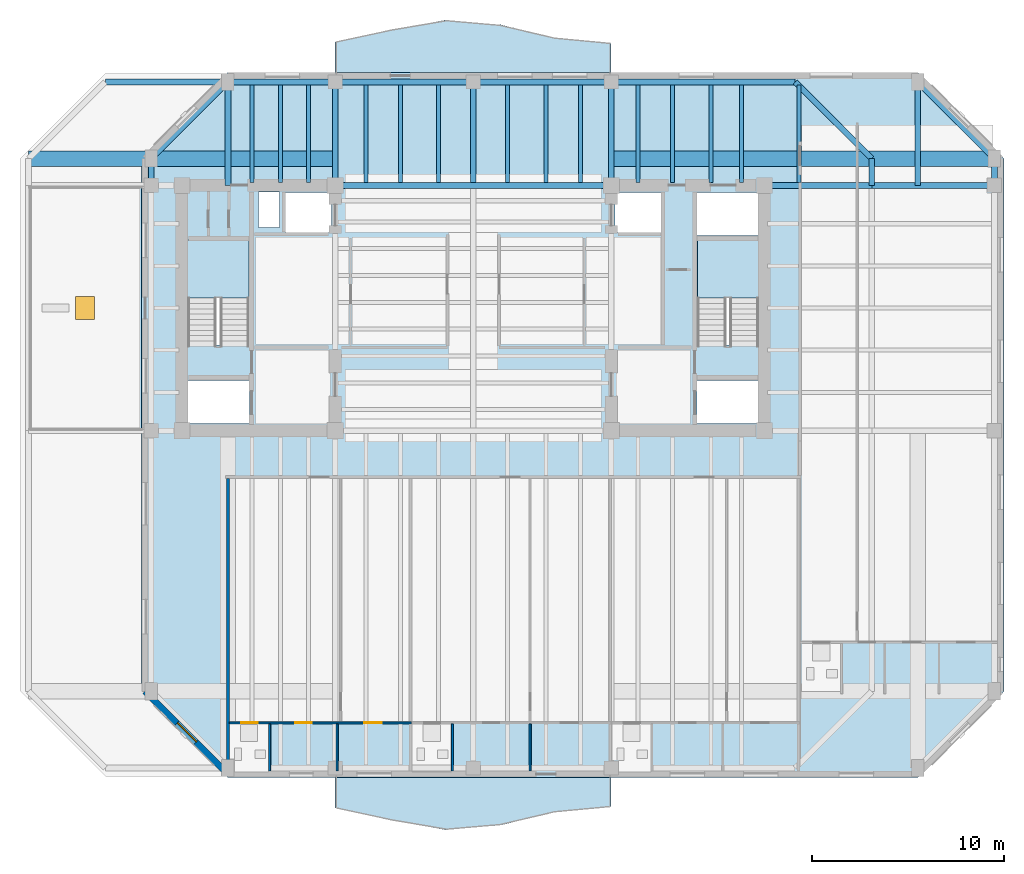
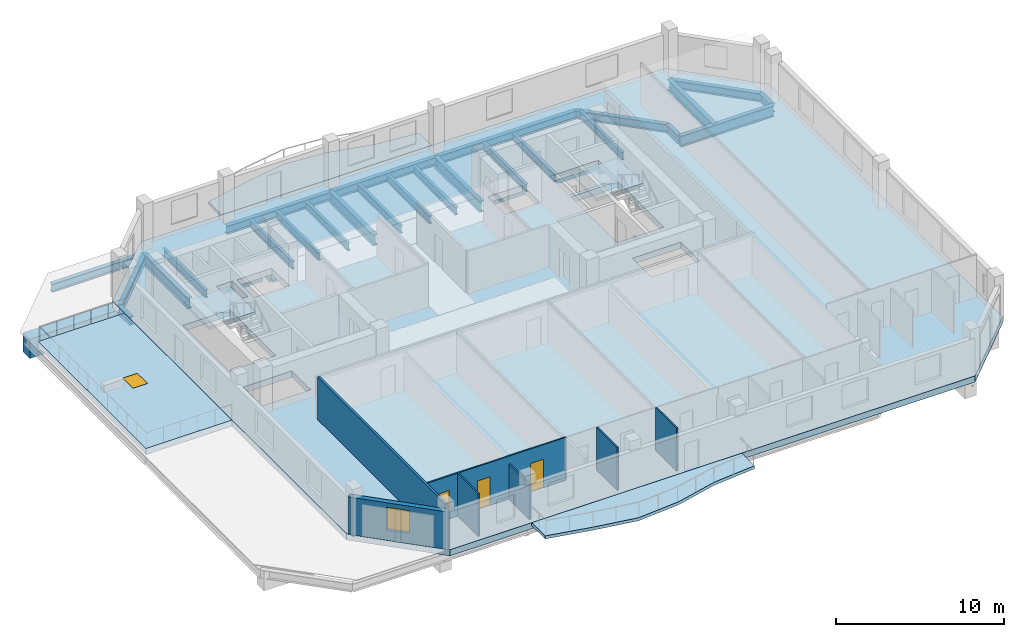
# One storey, part 2 of 11: 34 beams, 7 walls, 6 slabs, 4 doors, 1 window, 5 openings, 2 elements without a shape of their own.
"""IFC4 building model written with IfcOpenShell, lengths in metres."""

from ifc_helpers import new_model, si_unit, direction, frame, frame_2d, origin, origin_2d, place, context, subcontext, project, spatial, polyline, rectangle, i_section, outline, extrude, material, layer, layer_set, material_profile, profile_set, type_object, element, fill, aggregate, save


model = new_model("IFC4")

# Units and contexts
model_context = context("Model", 3, precision=1e-05, world=origin(), true_north=direction((0.0, 1.0)))
body_context = subcontext(model_context, "Body", "Model", "MODEL_VIEW")
ifc_project = project(units=[si_unit("LENGTHUNIT", "METRE"), si_unit("AREAUNIT", "SQUARE_METRE"), si_unit("VOLUMEUNIT", "CUBIC_METRE"), si_unit("PLANEANGLEUNIT", "RADIAN"), si_unit("MASSUNIT", "GRAM", prefix="KILO")], contexts=[model_context])

# Site, building, storey
site_placement = place(None, origin())
site = spatial("IfcSite", under=ifc_project, at=site_placement, CompositionType="ELEMENT")
building_placement = place(site_placement, origin())
building = spatial("IfcBuilding", under=site, at=building_placement, Name="Kranthara Brick Stack", CompositionType="ELEMENT")
storey_placement = place(building_placement, frame((0.0, 0.0, 227.89990234375)))
storey = spatial("IfcBuildingStorey", under=building, at=storey_placement, Name="L59", CompositionType="ELEMENT", Elevation=227.89990234375)

# Beams
ifc_material_1 = material(Name="Steel S355", Category="steel")
ifc_material_profile_1 = material_profile(ifc_material_1, i_section(OverallWidth=0.2099609375, OverallDepth=0.550048828125, WebThickness=0.010986328125, FlangeThickness=0.01708984375, at=origin_2d()), Name="IPE 550")
ifc_profile_set_1 = profile_set([ifc_material_profile_1], Name="Steel S355")
beam_type_1 = type_object("IfcBeamType", Name="BM-JST-IPE550", PredefinedType="JOIST", material=ifc_profile_set_1)
for number, where, z_axis, x_axis, name in (
    (1, (16.449951171875, 33.75, -0.724853515625), (0.0, 1.0, 0.0), (-1.0, 0.0, 0.0), "L59 North Wing Floor Joist 073"),
    (2, (17.949951171875, 33.75, -0.724853515625), (0.0, 1.0, 0.0), (-1.0, 0.0, 0.0), "L59 North Wing Floor Joist 075"),
    (3, (19.39990234375, 33.75, -0.724853515625), (0.0, 1.0, 0.0), (-1.0, 0.0, 0.0), "L59 North Wing Floor Joist 077"),
    (4, (22.39990234375, 33.75, -0.724853515625), (0.0, 1.0, 0.0), (-1.0, 0.0, 0.0), "L59 North Wing Floor Joist 079"),
    (5, (24.199951171875, 33.75, -0.724853515625), (0.0, 1.0, 0.0), (-1.0, 0.0, 0.0), "L59 North Wing Floor Joist 081"),
    (6, (26.199951171875, 33.75, -0.724853515625), (0.0, 1.0, 0.0), (-1.0, 0.0, 0.0), "L59 North Wing Floor Joist 083"),
    (7, (29.800048828125, 33.75, -0.724853515625), (0.0, 1.0, 0.0), (-1.0, 0.0, 0.0), "L59 North Wing Floor Joist 085"),
    (8, (31.800048828125, 33.75, -0.724853515625), (0.0, 1.0, 0.0), (-1.0, 0.0, 0.0), "L59 North Wing Floor Joist 087"),
    (9, (33.60009765625, 33.75, -0.724853515625), (0.0, 1.0, 0.0), (-1.0, 0.0, 0.0), "L59 North Wing Floor Joist 089"),
    (10, (36.60009765625, 33.75, -0.724853515625), (0.0, 1.0, 0.0), (-1.0, 0.0, 0.0), "L59 North Wing Floor Joist 091"),
    (11, (38.39990234375, 33.75, -0.724853515625), (0.0, 1.0, 0.0), (-1.0, 0.0, 0.0), "L59 North Wing Floor Joist 093"),
    (12, (40.39990234375, 33.75, -0.724853515625), (0.0, 1.0, 0.0), (-1.0, 0.0, 0.0), "L59 North Wing Floor Joist 095"),
    (13, (42.0, 33.75, -0.724853515625), (0.0, 1.0, 0.0), (-1.0, 0.0, 0.0), "L59 North Wing Floor Joist 097"),
    (14, (45.0, 33.75, -0.724853515625), (0.0, 1.0, 0.0), (-1.0, 0.0, 0.0), "L59 North Wing Floor Joist 099"),
):
    element("IfcBeam", number, at=place(storey_placement, frame(where, z_axis=z_axis, x_axis=x_axis)), inside=storey, type_object=beam_type_1, Name=name, PredefinedType="JOIST", context=body_context, shape_type="SweptSolid", body=[
        extrude(i_section(OverallWidth=0.2099609375, OverallDepth=0.550048828125, WebThickness=0.010986328125, FlangeThickness=0.01708984375, at=origin_2d()), origin(), (0.0, 0.0, 1.0), 5.10009765625),
    ])
ifc_material_2 = material(Name="Steel S355", Category="steel")
ifc_material_profile_2 = material_profile(ifc_material_2, i_section(OverallWidth=0.300048828125, OverallDepth=0.60009765625, WebThickness=0.015380859375, FlangeThickness=0.030029296875, at=origin_2d()), Name="HEB 600")
ifc_profile_set_2 = profile_set([ifc_material_profile_2], Name="Steel S355")
beam_type_2 = type_object("IfcBeamType", Name="BM-STL-HEB600", PredefinedType="BEAM", material=ifc_profile_set_2)
beam_1_placement = place(storey_placement, frame((8.800048828125, 39.0, -0.75), z_axis=(1.0, 0.0, 0.0), x_axis=(0.0, 1.0, 0.0)))
element("IfcBeam", 15, at=beam_1_placement, inside=storey, type_object=beam_type_2, Name="L59 Perimeter Spandrel Beam 009", PredefinedType="BEAM", context=body_context, shape_type="SweptSolid", body=[
    extrude(i_section(OverallWidth=0.300048828125, OverallDepth=0.60009765625, WebThickness=0.015380859375, FlangeThickness=0.030029296875, at=origin_2d()), origin(), (0.0, 0.0, 1.0), 12.0),
])
for number, where, z_axis, x_axis, name in (
    (16, (20.800048828125, 39.0, -0.75), (1.0, 0.0, 0.0), (0.0, 1.0, 0.0), "L59 Perimeter Spandrel Beam 010"),
    (17, (28.0, 39.0, -0.75), (1.0, 0.0, 0.0), (0.0, 1.0, 0.0), "L59 Perimeter Spandrel Beam 011"),
):
    element("IfcBeam", number, at=place(storey_placement, frame(where, z_axis=z_axis, x_axis=x_axis)), inside=storey, type_object=beam_type_2, Name=name, PredefinedType="BEAM", context=body_context, shape_type="SweptSolid", body=[
        extrude(i_section(OverallWidth=0.300048828125, OverallDepth=0.60009765625, WebThickness=0.015380859375, FlangeThickness=0.030029296875, at=origin_2d()), origin(), (0.0, 0.0, 1.0), 7.199951171875),
    ])
beam_2_placement = place(storey_placement, frame((35.199951171875, 39.0, -0.75), z_axis=(1.0, 0.0, 0.0), x_axis=(0.0, 1.0, 0.0)))
element("IfcBeam", 18, at=beam_2_placement, inside=storey, type_object=beam_type_2, Name="L59 Perimeter Spandrel Beam 012", PredefinedType="BEAM", context=body_context, shape_type="SweptSolid", body=[
    extrude(i_section(OverallWidth=0.300048828125, OverallDepth=0.60009765625, WebThickness=0.015380859375, FlangeThickness=0.030029296875, at=origin_2d()), origin(), (0.0, 0.0, 1.0), 9.60009765625),
])
beam_3_placement = place(storey_placement, frame((48.800048828125, 33.60009765625, -0.75), z_axis=(0.0, 1.0, 0.0), x_axis=(-1.0, 0.0, 0.0)))
element("IfcBeam", 19, at=beam_3_placement, inside=storey, type_object=beam_type_2, Name="L59 Perimeter Spandrel Beam 018", PredefinedType="BEAM", context=body_context, shape_type="SweptSolid", body=[
    extrude(i_section(OverallWidth=0.300048828125, OverallDepth=0.60009765625, WebThickness=0.015380859375, FlangeThickness=0.030029296875, at=origin_2d()), origin(), (0.0, 0.0, 1.0), 1.39990234375),
])
beam_4_placement = place(storey_placement, frame((44.800048828125, 39.0, -0.75), z_axis=(0.707106781187, -0.707106781187, 0.0), x_axis=(0.707106781187, 0.707106781187, 0.0)))
element("IfcBeam", 20, at=beam_4_placement, inside=storey, type_object=beam_type_2, Name="L59 Chamfer Corner Spandrel 022", PredefinedType="BEAM", context=body_context, shape_type="SweptSolid", body=[
    extrude(i_section(OverallWidth=0.300048828125, OverallDepth=0.60009765625, WebThickness=0.015380859375, FlangeThickness=0.030029296875, at=origin_2d()), origin(), (0.0, 0.0, 1.0), 5.65673828125),
])
for number, where, z_axis, x_axis, name in (
    (21, (11.199951171875, 33.60009765625, -0.75), (0.0, 1.0, 0.0), (-1.0, 0.0, 0.0), "L59 Perimeter Spandrel Beam 025"),
    (22, (55.199951171875, 33.60009765625, -0.75), (0.0, 1.0, 0.0), (-1.0, 0.0, 0.0), "L59 Perimeter Spandrel Beam 028"),
):
    element("IfcBeam", number, at=place(storey_placement, frame(where, z_axis=z_axis, x_axis=x_axis)), inside=storey, type_object=beam_type_2, Name=name, PredefinedType="BEAM", context=body_context, shape_type="SweptSolid", body=[
        extrude(i_section(OverallWidth=0.300048828125, OverallDepth=0.60009765625, WebThickness=0.015380859375, FlangeThickness=0.030029296875, at=origin_2d()), origin(), (0.0, 0.0, 1.0), 1.39990234375),
    ])
for number, where, z_axis, x_axis, name in (
    (23, (15.199951171875, 39.0, -0.75), (-0.707106781187, -0.707106781187, 0.0), (0.707106781187, -0.707106781187, 0.0), "L59 Chamfer Corner Spandrel 031"),
    (24, (51.199951171875, 39.0, -0.75), (0.707106781187, -0.707106781187, 0.0), (0.707106781187, 0.707106781187, 0.0), "L59 Chamfer Corner Spandrel 032"),
):
    element("IfcBeam", number, at=place(storey_placement, frame(where, z_axis=z_axis, x_axis=x_axis)), inside=storey, type_object=beam_type_2, Name=name, PredefinedType="BEAM", context=body_context, shape_type="SweptSolid", body=[
        extrude(i_section(OverallWidth=0.300048828125, OverallDepth=0.60009765625, WebThickness=0.015380859375, FlangeThickness=0.030029296875, at=origin_2d()), origin(), (0.0, 0.0, 1.0), 5.65673828125),
    ])
ifc_material_3 = material(Name="Steel S355", Category="steel")
ifc_material_profile_3 = material_profile(ifc_material_3, i_section(OverallWidth=0.300048828125, OverallDepth=0.800048828125, WebThickness=0.017578125, FlangeThickness=0.032958984375, at=origin_2d()), Name="HEB 800")
ifc_profile_set_3 = profile_set([ifc_material_profile_3], Name="Steel S355")
beam_type_3 = type_object("IfcBeamType", Name="BM-TR-HEB800", PredefinedType="BEAM", material=ifc_profile_set_3)
beam_5_placement = place(storey_placement, frame((20.800048828125, 33.60009765625, -0.849853515625), z_axis=(1.0, 0.0, 0.0), x_axis=(0.0, 1.0, 0.0)))
element("IfcBeam", 25, at=beam_5_placement, inside=storey, type_object=beam_type_3, Name="L59 Core Coupling Beam 002", PredefinedType="BEAM", context=body_context, shape_type="SweptSolid", body=[
    extrude(i_section(OverallWidth=0.300048828125, OverallDepth=0.800048828125, WebThickness=0.017578125, FlangeThickness=0.032958984375, at=origin_2d()), origin(), (0.0, 0.0, 1.0), 14.39990234375),
])
beam_6_placement = place(storey_placement, frame((20.800048828125, 33.60009765625, -0.849853515625), z_axis=(0.0, 1.0, 0.0), x_axis=(-1.0, 0.0, 0.0)))
element("IfcBeam", 26, at=beam_6_placement, inside=storey, type_object=beam_type_3, Name="L59 Primary Grid Girder 034", PredefinedType="BEAM", context=body_context, shape_type="SweptSolid", body=[
    extrude(i_section(OverallWidth=0.300048828125, OverallDepth=0.800048828125, WebThickness=0.017578125, FlangeThickness=0.032958984375, at=origin_2d()), origin(), (0.0, 0.0, 1.0), 5.39990234375),
])
beam_7_placement = place(storey_placement, frame((28.0, 33.75, -0.849853515625), z_axis=(0.0, 1.0, 0.0), x_axis=(-1.0, 0.0, 0.0)))
element("IfcBeam", 27, at=beam_7_placement, inside=storey, type_object=beam_type_3, Name="L59 Primary Grid Girder 037", PredefinedType="BEAM", context=body_context, shape_type="SweptSolid", body=[
    extrude(i_section(OverallWidth=0.300048828125, OverallDepth=0.800048828125, WebThickness=0.017578125, FlangeThickness=0.032958984375, at=origin_2d()), origin(), (0.0, 0.0, 1.0), 5.25),
])
beam_8_placement = place(storey_placement, frame((35.199951171875, 33.60009765625, -0.849853515625), z_axis=(0.0, 1.0, 0.0), x_axis=(-1.0, 0.0, 0.0)))
element("IfcBeam", 28, at=beam_8_placement, inside=storey, type_object=beam_type_3, Name="L59 Primary Grid Girder 039", PredefinedType="BEAM", context=body_context, shape_type="SweptSolid", body=[
    extrude(i_section(OverallWidth=0.300048828125, OverallDepth=0.800048828125, WebThickness=0.017578125, FlangeThickness=0.032958984375, at=origin_2d()), origin(), (0.0, 0.0, 1.0), 5.39990234375),
])
beam_9_placement = place(storey_placement, frame((43.199951171875, 33.60009765625, -0.849853515625), z_axis=(1.0, 0.0, 0.0), x_axis=(0.0, 1.0, 0.0)))
element("IfcBeam", 29, at=beam_9_placement, inside=storey, type_object=beam_type_3, Name="L59 Primary Grid Girder 044", PredefinedType="BEAM", context=body_context, shape_type="SweptSolid", body=[
    extrude(i_section(OverallWidth=0.300048828125, OverallDepth=0.800048828125, WebThickness=0.017578125, FlangeThickness=0.032958984375, at=origin_2d()), origin(), (0.0, 0.0, 1.0), 5.60009765625),
])
beam_10_placement = place(storey_placement, frame((48.800048828125, 33.60009765625, -0.849853515625), z_axis=(1.0, 0.0, 0.0), x_axis=(0.0, 1.0, 0.0)))
element("IfcBeam", 30, at=beam_10_placement, inside=storey, type_object=beam_type_3, Name="L59 Primary Grid Girder 045", PredefinedType="BEAM", context=body_context, shape_type="SweptSolid", body=[
    extrude(i_section(OverallWidth=0.300048828125, OverallDepth=0.800048828125, WebThickness=0.017578125, FlangeThickness=0.032958984375, at=origin_2d()), origin(), (0.0, 0.0, 1.0), 6.39990234375),
])
for number, where, z_axis, x_axis, name in (
    (31, (15.199951171875, 39.0, -0.849853515625), (0.0, -1.0, 0.0), (1.0, 0.0, 0.0), "L59 Transfer Tie Girder 047"),
    (32, (51.199951171875, 39.0, -0.849853515625), (0.0, -1.0, 0.0), (1.0, 0.0, 0.0), "L59 Transfer Tie Girder 049"),
):
    element("IfcBeam", number, at=place(storey_placement, frame(where, z_axis=z_axis, x_axis=x_axis)), inside=storey, type_object=beam_type_3, Name=name, PredefinedType="BEAM", context=body_context, shape_type="SweptSolid", body=[
        extrude(i_section(OverallWidth=0.300048828125, OverallDepth=0.800048828125, WebThickness=0.017578125, FlangeThickness=0.032958984375, at=origin_2d()), origin(), (0.0, 0.0, 1.0), 5.39990234375),
    ])
ifc_material_4 = material(Name="Post-tensioned concrete C50/60", Category="concrete")
ifc_material_profile_4 = material_profile(ifc_material_4, rectangle(XDim=0.800048828125, YDim=1.39990234375, at=origin_2d()), Name="PT 800x1400")
ifc_profile_set_4 = profile_set([ifc_material_profile_4], Name="Post-tensioned concrete C50/60")
beam_type_4 = type_object("IfcBeamType", Name="BM-TR-PT1400", PredefinedType="T_BEAM", material=ifc_profile_set_4)
beam_11_placement = place(storey_placement, frame((4.800048828125, 35.0, -1.14990234375), z_axis=(1.0, 0.0, 0.0), x_axis=(0.0, 1.0, 0.0)))
element("IfcBeam", 33, at=beam_11_placement, inside=storey, type_object=beam_type_4, Name="L59 Transfer Tie Girder 052", PredefinedType="T_BEAM", context=body_context, shape_type="SweptSolid", body=[
    extrude(rectangle(XDim=0.800048828125, YDim=1.39990234375, at=origin_2d()), origin(), (0.0, 0.0, 1.0), 16.0),
])
beam_12_placement = place(storey_placement, frame((55.199951171875, 35.0, -1.14990234375), z_axis=(-1.0, 0.0, 0.0), x_axis=(0.0, -1.0, 0.0)))
element("IfcBeam", 34, at=beam_12_placement, inside=storey, type_object=beam_type_4, Name="L59 Transfer Tie Girder 053", PredefinedType="T_BEAM", context=body_context, shape_type="SweptSolid", body=[
    extrude(rectangle(XDim=0.800048828125, YDim=1.39990234375, at=origin_2d()), origin(), (0.0, 0.0, 1.0), 20.0),
])

# Slabs
ifc_material_5 = material(Name="Concrete C45/55", Category="concrete")
ifc_layer_1 = layer(ifc_material_5, 0.219970703125)
ifc_layer_set_1 = layer_set([ifc_layer_1], Name="Concrete C45/55")
slab_type_1 = type_object("IfcSlabType", Name="SLB-BALC-220", PredefinedType="FLOOR", material=ifc_layer_set_1)
slab_1_placement = place(storey_placement, frame((0.0, 0.0, -0.219970703125)))
element("IfcSlab", 35, at=slab_1_placement, inside=storey, type_object=slab_type_1, Name="L59 South Rippling Balcony Slab", PredefinedType="FLOOR", context=body_context, shape_type="SweptSolid", body=[
    extrude(outline(polyline([(20.800048828125, 2.699951171875), (35.199951171875, 2.699951171875), (35.199951171875, 1.1884765625), (32.320068359375, 0.9140625), (29.43994140625, 0.213134765625), (26.56005859375, -0.032470703125), (23.679931640625, 0.48583984375), (20.800048828125, 1.1162109375), (20.800048828125, 2.699951171875)])), origin(), (0.0, 0.0, 1.0), 0.219970703125),
])
slab_2_placement = place(storey_placement, frame((0.0, 0.0, -0.219970703125)))
element("IfcSlab", 36, at=slab_2_placement, inside=storey, type_object=slab_type_1, Name="L59 North Rippling Balcony Slab", PredefinedType="FLOOR", context=body_context, shape_type="SweptSolid", body=[
    extrude(outline(polyline([(35.199951171875, 39.5), (20.800048828125, 39.5), (20.800048828125, 41.083740234375), (23.679931640625, 41.71435546875), (26.56005859375, 42.232421875), (29.43994140625, 41.98681640625), (32.320068359375, 41.2861328125), (35.199951171875, 41.011474609375), (35.199951171875, 39.5)])), origin(), (0.0, 0.0, 1.0), 0.219970703125),
])

# Stair, slab
ifc_material_6 = material(Name="Concrete C45/55", Category="concrete")
stair_type = type_object("IfcStairType", Name="ST-CORE-20R", PredefinedType="HALF_TURN_STAIR", material=ifc_material_6)
stair_1_placement = place(storey_placement, origin())
stair_1 = element("IfcStair", 37, at=stair_1_placement, inside=storey, type_object=stair_type, Name="L59 West Core Protected Exit Stair ST01", PredefinedType="HALF_TURN_STAIR")
ifc_material_7 = material(Name="Concrete C45/55", Category="concrete")
ifc_layer_2 = layer(ifc_material_7, 0.199951171875)
ifc_layer_set_2 = layer_set([ifc_layer_2], Name="Concrete C45/55")
slab_type_2 = type_object("IfcSlabType", Name="SLB-LANDING-200", PredefinedType="LANDING", material=ifc_layer_set_2)
slab_3_placement = place(storey_placement, frame((0.0, 0.0, 1.5)))
slab_3 = element("IfcSlab", 38, at=slab_3_placement, type_object=slab_type_2, Name="ST01 landing 1", PredefinedType="LANDING", context=body_context, shape_type="SweptSolid", body=[
    extrude(outline(polyline([(16.300048828125, 27.719970703125), (16.300048828125, 30.75), (13.10009765625, 30.75), (13.10009765625, 27.719970703125), (16.300048828125, 27.719970703125)])), origin(), (0.0, 0.0, 1.0), 0.2001953125),
])
aggregate(stair_1, [slab_3])

stair_2_placement = place(storey_placement, origin())
stair_2 = element("IfcStair", 39, at=stair_2_placement, inside=storey, type_object=stair_type, Name="L59 East Core Protected Exit Stair ST02", PredefinedType="HALF_TURN_STAIR")
slab_4_placement = place(storey_placement, frame((0.0, 0.0, 1.5)))
slab_4 = element("IfcSlab", 40, at=slab_4_placement, type_object=slab_type_2, Name="ST02 landing 1", PredefinedType="LANDING", context=body_context, shape_type="SweptSolid", body=[
    extrude(outline(polyline([(42.89990234375, 27.719970703125), (42.89990234375, 30.75), (39.699951171875, 30.75), (39.699951171875, 27.719970703125), (42.89990234375, 27.719970703125)])), origin(), (0.0, 0.0, 1.0), 0.2001953125),
])
aggregate(stair_2, [slab_4])

# Slab, opening, door
ifc_material_8 = material(Name="Concrete C45/55", Category="concrete")
ifc_layer_3 = layer(ifc_material_8, 0.449951171875)
ifc_layer_set_3 = layer_set([ifc_layer_3], Name="Concrete C45/55")
slab_type_3 = type_object("IfcSlabType", Name="SLB-TERR-450", PredefinedType="ROOF", material=ifc_layer_set_3)
slab_5_placement = place(storey_placement, frame((0.0, 0.0, -0.449951171875)))
slab_5 = element("IfcSlab", 41, at=slab_5_placement, inside=storey, type_object=slab_type_3, Name="L59 West Planted Sky Garden", PredefinedType="ROOF", context=body_context, shape_type="SweptSolid", body=[
    extrude(outline(polyline([(4.800048828125, 20.800048828125), (10.699951171875, 20.800048828125), (10.699951171875, 33.60009765625), (4.800048828125, 33.60009765625), (4.800048828125, 20.800048828125)]), holes=[polyline([(7.25, 26.60009765625), (8.25, 26.60009765625), (8.25, 27.800048828125), (7.25, 27.800048828125), (7.25, 26.60009765625)])]), origin(), (0.0, 0.0, 1.0), 0.449951171875),
])
opening_1_placement = place(slab_5_placement, frame((7.75, 27.199951171875, 0.0)))
opening_1 = element("IfcOpeningElement", 42, at=opening_1_placement, cuts=slab_5, Name="Opening RH01", PredefinedType="OPENING", context=body_context, shape_type="SweptSolid", body=[
    extrude(rectangle(XDim=1.0, YDim=1.199951171875, at=origin_2d()), origin(), (0.0, 0.0, 1.0), 0.449951171875),
])
ifc_material_9 = material(Name="Powder-coated galvanized steel sheet", Category="steel")
door_type_1 = type_object("IfcDoorType", Name="DR-HATCH-1000", OperationType="SINGLE_SWING_LEFT", PredefinedType="TRAPDOOR", material=ifc_material_9)
door_1_placement = place(opening_1_placement, frame((0.0, 0.0, 0.39990234375)))
door_1 = element("IfcDoor", 43, at=door_1_placement, inside=storey, type_object=door_type_1, Name="L59 Terrace Roof Maintenance Access Hatch", OperationType="SINGLE_SWING_LEFT", OverallHeight=1.199951171875, OverallWidth=1.0, PredefinedType="TRAPDOOR", context=body_context, shape_type="SweptSolid", body=[
    extrude(rectangle(XDim=1.0, YDim=1.199951171875, at=origin_2d()), origin(), (0.0, 0.0, 1.0), 0.050048828125),
])
fill(opening_1, door_1)

# Slab
ifc_material_10 = material(Name="Post-tensioned concrete C50/60", Category="concrete")
ifc_layer_4 = layer(ifc_material_10, 0.449951171875)
ifc_layer_set_4 = layer_set([ifc_layer_4], Name="Post-tensioned concrete C50/60")
slab_type_4 = type_object("IfcSlabType", Name="SLB-TRANS-450", PredefinedType="FLOOR", material=ifc_layer_set_4)
slab_6_placement = place(storey_placement, frame((0.0, 0.0, -0.449951171875)))
element("IfcSlab", 44, at=slab_6_placement, inside=storey, type_object=slab_type_4, Name="L59 Structural Floor Plate", PredefinedType="FLOOR", context=body_context, shape_type="SweptSolid", body=[
    extrude(outline(polyline([(15.199951171875, 2.699951171875), (51.199951171875, 2.699951171875), (55.699951171875, 7.199951171875), (55.699951171875, 35.0), (51.199951171875, 39.5), (15.199951171875, 39.5), (10.699951171875, 35.0), (10.699951171875, 7.199951171875), (15.199951171875, 2.699951171875)]), holes=[polyline([(13.10009765625, 25.280029296875), (16.300048828125, 25.280029296875), (16.300048828125, 30.75), (13.10009765625, 30.75), (13.10009765625, 25.280029296875)]), polyline([(39.699951171875, 25.280029296875), (42.89990234375, 25.280029296875), (42.89990234375, 30.75), (39.699951171875, 30.75), (39.699951171875, 25.280029296875)]), polyline([(13.0, 21.179931640625), (16.320068359375, 21.179931640625), (16.320068359375, 23.419921875), (13.0, 23.419921875), (13.0, 21.179931640625)]), polyline([(39.679931640625, 21.179931640625), (43.0, 21.179931640625), (43.0, 23.419921875), (39.679931640625, 23.419921875), (39.679931640625, 21.179931640625)]), polyline([(39.679931640625, 30.97998046875), (43.0, 30.97998046875), (43.0, 33.219970703125), (39.679931640625, 33.219970703125), (39.679931640625, 30.97998046875)]), polyline([(18.199951171875, 31.14990234375), (20.60009765625, 31.14990234375), (20.60009765625, 33.219970703125), (18.199951171875, 33.219970703125), (18.199951171875, 31.14990234375)]), polyline([(35.39990234375, 31.14990234375), (37.800048828125, 31.14990234375), (37.800048828125, 33.219970703125), (35.39990234375, 33.219970703125), (35.39990234375, 31.14990234375)]), polyline([(16.800048828125, 31.39990234375), (17.89990234375, 31.39990234375), (17.89990234375, 33.25), (16.800048828125, 33.25), (16.800048828125, 31.39990234375)])]), origin(), (0.0, 0.0, 1.0), 0.449951171875),
])

# Wall, opening, window
ifc_material_11 = material(Name="Warm buff clay brick masonry M15", Category="masonry")
ifc_layer_5 = layer(ifc_material_11, 0.320068359375)
ifc_layer_set_5 = layer_set([ifc_layer_5], Name="Warm buff clay brick masonry M15")
wall_type_1 = type_object("IfcWallType", Name="WL-BRK-UPPR-320", PredefinedType="STANDARD", material=ifc_layer_set_5)
wall_1_placement = place(storey_placement, frame((15.199951171875, 2.8798828125, 0.0), z_axis=(0.0, 0.0, 1.0), x_axis=(-0.707106781187, 0.707106781187, 0.0)))
wall_1 = element("IfcWall", 45, at=wall_1_placement, inside=storey, type_object=wall_type_1, Name="L59 Exterior Brick Facade Wall SW 1", PredefinedType="STANDARD", context=body_context, shape_type="SweptSolid", body=[
    extrude(rectangle(XDim=6.109619140625, YDim=0.320068359375, at=frame_2d((3.0546875, 0.0))), origin(), (0.0, 0.0, 1.0), 2.72509765625),
])
opening_2_placement = place(wall_1_placement, frame((2.35498046875, 0.0, 0.75)))
opening_2 = element("IfcOpeningElement", 46, at=opening_2_placement, cuts=wall_1, Name="Opening WN10", PredefinedType="OPENING", context=body_context, shape_type="SweptSolid", body=[
    extrude(rectangle(XDim=1.39990234375, YDim=1.64990234375, at=frame_2d((0.699951171875, 0.824951171875))), frame((0.0, 0.169921875, 0.0), z_axis=(0.0, -1.0, 0.0), x_axis=(1.0, 0.0, 0.0)), (0.0, 0.0, 1.0), 0.340087890625),
])
ifc_material_12 = material(Name="Double-glazed low-E solar control glass", Category="glass")
window_type = type_object("IfcWindowType", Name="WN-CHM-1400x1750", PartitioningType="SINGLE_PANEL", PredefinedType="WINDOW", material=ifc_material_12)
window_placement = place(opening_2_placement, origin())
window = element("IfcWindow", 47, at=window_placement, inside=storey, type_object=window_type, Name="L59 SW Chamfer Corner Window", OverallHeight=1.64990234375, OverallWidth=1.39990234375, PartitioningType="SINGLE_PANEL", PredefinedType="WINDOW", context=body_context, shape_type="SweptSolid", body=[
    extrude(rectangle(XDim=1.39990234375, YDim=1.64990234375, at=frame_2d((0.699951171875, 0.824951171875))), frame((0.0, -0.010009765625, 0.0), z_axis=(0.0, -1.0, 0.0), x_axis=(1.0, 0.0, 0.0)), (0.0, 0.0, 1.0), 0.06005859375),
])
fill(opening_2, window)

# Wall, openings, doors
ifc_material_13 = material(Name="Moisture-resistant wet-room partition", Category="other")
ifc_layer_6 = layer(ifc_material_13, 0.10009765625)
ifc_layer_set_6 = layer_set([ifc_layer_6], Name="Moisture-resistant wet-room partition")
wall_type_2 = type_object("IfcWallType", Name="WL-PART-100", PredefinedType="PARTITIONING", material=ifc_layer_set_6)
wall_2_placement = place(storey_placement, frame((15.280029296875, 5.550048828125, 0.0), z_axis=(0.0, 0.0, 1.0), x_axis=(1.0, 0.0, 0.0)))
wall_2 = element("IfcWall", 48, at=wall_2_placement, inside=storey, type_object=wall_type_2, Name="L59 Interior Partition 012", PredefinedType="PARTITIONING", context=body_context, shape_type="SweptSolid", body=[
    extrude(rectangle(XDim=9.489990234375, YDim=0.10009765625, at=frame_2d((4.7451171875, 0.0))), origin(), (0.0, 0.0, 1.0), 3.10009765625),
])
opening_3_placement = place(wall_2_placement, frame((0.625, 0.0, 0.0)))
opening_3 = element("IfcOpeningElement", 49, at=opening_3_placement, cuts=wall_2, Name="Opening D17", PredefinedType="OPENING", context=body_context, shape_type="SweptSolid", body=[
    extrude(rectangle(XDim=0.85009765625, YDim=2.050048828125, at=frame_2d((0.425048828125, 1.02490234375))), frame((0.0, 0.06005859375, 0.0), z_axis=(0.0, -1.0, 0.0), x_axis=(1.0, 0.0, 0.0)), (0.0, 0.0, 1.0), 0.1201171875),
])
opening_4_placement = place(wall_2_placement, frame((3.43603515625, 0.0, 0.0)))
opening_4 = element("IfcOpeningElement", 50, at=opening_4_placement, cuts=wall_2, Name="Opening D16", PredefinedType="OPENING", context=body_context, shape_type="SweptSolid", body=[
    extrude(rectangle(XDim=0.85009765625, YDim=2.050048828125, at=frame_2d((0.425048828125, 1.02490234375))), frame((0.0, 0.06005859375, 0.0), z_axis=(0.0, -1.0, 0.0), x_axis=(1.0, 0.0, 0.0)), (0.0, 0.0, 1.0), 0.1201171875),
])
opening_5_placement = place(wall_2_placement, frame((7.0458984375, 0.0, 0.0)))
opening_5 = element("IfcOpeningElement", 51, at=opening_5_placement, cuts=wall_2, Name="Opening D15", PredefinedType="OPENING", context=body_context, shape_type="SweptSolid", body=[
    extrude(rectangle(XDim=0.89990234375, YDim=2.050048828125, at=frame_2d((0.449951171875, 1.02490234375))), frame((0.0, 0.06005859375, 0.0), z_axis=(0.0, -1.0, 0.0), x_axis=(1.0, 0.0, 0.0)), (0.0, 0.0, 1.0), 0.1201171875),
])
ifc_material_14 = material(Name="Solid-core hardwood timber leaf in steel frame", Category="steel")
door_type_2 = type_object("IfcDoorType", Name="DR-INT-850", OperationType="NOTDEFINED", PredefinedType="DOOR", material=ifc_material_14)
door_2_placement = place(opening_4_placement, origin())
door_2 = element("IfcDoor", 52, at=door_2_placement, inside=storey, type_object=door_type_2, Name="L59 Unit L59A Kitchen 11", OperationType="SINGLE_SWING_LEFT", OverallHeight=2.050048828125, OverallWidth=0.85009765625, PredefinedType="DOOR", context=body_context, shape_type="SweptSolid", body=[
    extrude(rectangle(XDim=0.85009765625, YDim=2.050048828125, at=frame_2d((0.425048828125, 1.02490234375))), frame((0.0, 0.02490234375, 0.0), z_axis=(0.0, -1.0, 0.0), x_axis=(1.0, 0.0, 0.0)), (0.0, 0.0, 1.0), 0.050048828125),
])
fill(opening_4, door_2)
ifc_material_15 = material(Name="Solid-core hardwood timber leaf in steel frame", Category="steel")
door_type_3 = type_object("IfcDoorType", Name="DR-INT-900", OperationType="NOTDEFINED", PredefinedType="DOOR", material=ifc_material_15)
door_3_placement = place(opening_5_placement, origin())
door_3 = element("IfcDoor", 53, at=door_3_placement, inside=storey, type_object=door_type_3, Name="L59 Unit L59A Bedroom 12", OperationType="SINGLE_SWING_RIGHT", OverallHeight=2.050048828125, OverallWidth=0.89990234375, PredefinedType="DOOR", context=body_context, shape_type="SweptSolid", body=[
    extrude(rectangle(XDim=0.89990234375, YDim=2.050048828125, at=frame_2d((0.449951171875, 1.02490234375))), frame((0.0, 0.02490234375, 0.0), z_axis=(0.0, -1.0, 0.0), x_axis=(1.0, 0.0, 0.0)), (0.0, 0.0, 1.0), 0.050048828125),
])
fill(opening_5, door_3)
ifc_material_16 = material(Name="Solid-core hardwood timber leaf in steel frame", Category="steel")
door_type_4 = type_object("IfcDoorType", Name="DR-WET-850", OperationType="NOTDEFINED", PredefinedType="DOOR", material=ifc_material_16)
door_4_placement = place(opening_3_placement, origin())
door_4 = element("IfcDoor", 54, at=door_4_placement, inside=storey, type_object=door_type_4, Name="L59 Unit L59A Bathroom 10", OperationType="SINGLE_SWING_RIGHT", OverallHeight=2.050048828125, OverallWidth=0.85009765625, PredefinedType="DOOR", context=body_context, shape_type="SweptSolid", body=[
    extrude(rectangle(XDim=0.85009765625, YDim=2.050048828125, at=frame_2d((0.425048828125, 1.02490234375))), frame((0.0, 0.02490234375, 0.0), z_axis=(0.0, -1.0, 0.0), x_axis=(1.0, 0.0, 0.0)), (0.0, 0.0, 1.0), 0.050048828125),
])
fill(opening_3, door_4)

# Walls
wall_3_placement = place(storey_placement, frame((17.3798828125, 3.044921875, 0.0), z_axis=(0.0, 0.0, 1.0), x_axis=(0.0, 1.0, 0.0)))
element("IfcWall", 55, at=wall_3_placement, inside=storey, type_object=wall_type_2, Name="L59 Interior Partition 014", PredefinedType="PARTITIONING", context=body_context, shape_type="SweptSolid", body=[
    extrude(rectangle(XDim=2.4501953125, YDim=0.10009765625, at=frame_2d((1.22509765625, 0.0))), origin(), (0.0, 0.0, 1.0), 3.10009765625),
])
wall_4_placement = place(storey_placement, frame((20.902099609375, 3.044921875, 0.0), z_axis=(0.0, 0.0, 1.0), x_axis=(0.0, 1.0, 0.0)))
element("IfcWall", 56, at=wall_4_placement, inside=storey, type_object=wall_type_2, Name="L59 Interior Partition 015", PredefinedType="PARTITIONING", context=body_context, shape_type="SweptSolid", body=[
    extrude(rectangle(XDim=2.4501953125, YDim=0.10009765625, at=frame_2d((1.22509765625, 0.0))), origin(), (0.0, 0.0, 1.0), 2.53515625),
])
for number, where, z_axis, x_axis, name in (
    (57, (26.909912109375, 3.044921875, 0.0), (0.0, 0.0, 1.0), (0.0, 1.0, 0.0), "L59 Interior Partition 019"),
    (58, (30.968017578125, 3.044921875, 0.0), (0.0, 0.0, 1.0), (0.0, 1.0, 0.0), "L59 Interior Partition 020"),
):
    element("IfcWall", number, at=place(storey_placement, frame(where, z_axis=z_axis, x_axis=x_axis)), inside=storey, type_object=wall_type_2, Name=name, PredefinedType="PARTITIONING", context=body_context, shape_type="SweptSolid", body=[
        extrude(rectangle(XDim=2.4501953125, YDim=0.10009765625, at=frame_2d((1.22509765625, 0.0))), origin(), (0.0, 0.0, 1.0), 3.10009765625),
    ])
ifc_material_17 = material(Name="Fire-rated gypsum board partition", Category="other")
ifc_layer_7 = layer(ifc_material_17, 0.14990234375)
ifc_layer_set_7 = layer_set([ifc_layer_7], Name="Fire-rated gypsum board partition")
wall_type_3 = type_object("IfcWallType", Name="WL-PART-150", PredefinedType="PARTITIONING", material=ifc_layer_set_7)
wall_5_placement = place(storey_placement, frame((15.199951171875, 3.044921875, 0.0), z_axis=(0.0, 0.0, 1.0), x_axis=(0.0, 1.0, 0.0)))
element("IfcWall", 59, at=wall_5_placement, inside=storey, type_object=wall_type_3, Name="L59 Interior Partition 011", PredefinedType="PARTITIONING", context=body_context, shape_type="SweptSolid", body=[
    extrude(rectangle(XDim=15.255126953125, YDim=0.14990234375, at=frame_2d((7.62744140625, 0.0))), origin(), (0.0, 0.0, 1.0), 3.10009765625),
])

save(model, "model.ifc")
